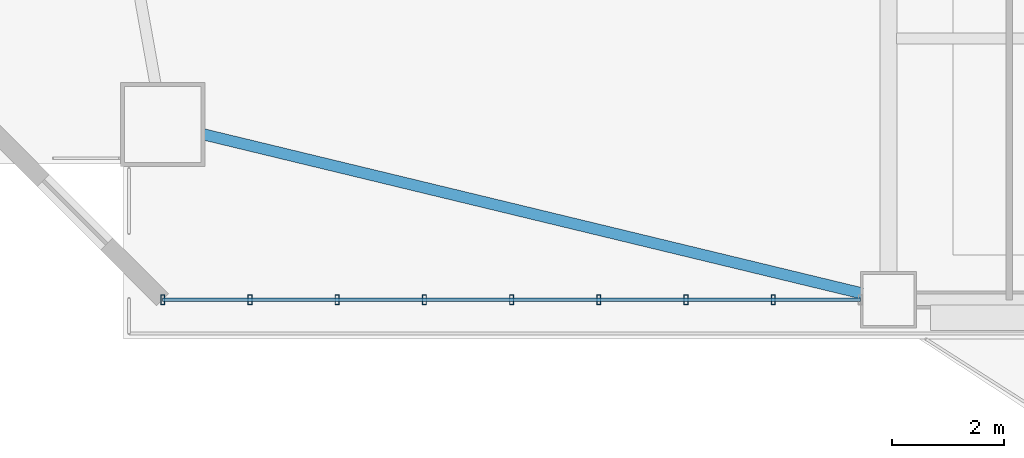
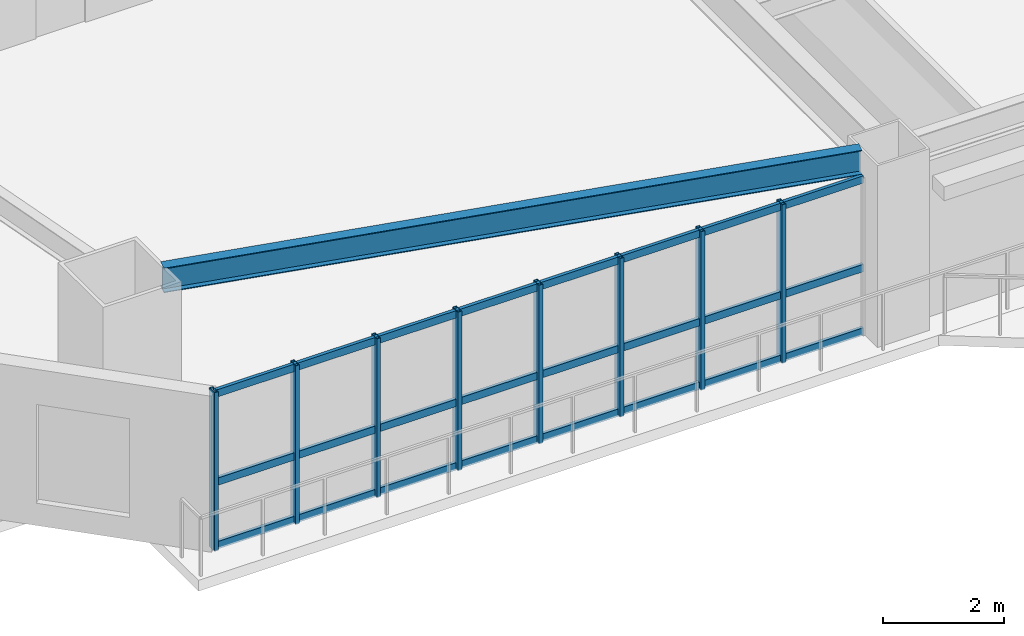
# One storey, part 2 of 18: 11 members, 1 beam, 1 element without a shape of its own.
"""IFC4 building model written with IfcOpenShell, lengths in metres."""

from ifc_helpers import new_model, si_unit, direction, frame, origin, origin_2d, place, context, subcontext, project, spatial, hollow_rectangle, i_section, extrude, source, transform, mapped, material, layer, layer_set, material_profile, profile_set, type_object, element, aggregate, save


model = new_model("IFC4")

# Units and contexts
model_context = context("Model", 3, precision=1e-05, world=origin(), true_north=direction((0.0, 1.0)))
body_context = subcontext(model_context, "Body", "Model", "MODEL_VIEW")
ifc_project = project(units=[si_unit("LENGTHUNIT", "METRE"), si_unit("AREAUNIT", "SQUARE_METRE"), si_unit("VOLUMEUNIT", "CUBIC_METRE"), si_unit("PLANEANGLEUNIT", "RADIAN"), si_unit("MASSUNIT", "GRAM", prefix="KILO")], contexts=[model_context])

# Site, building, storey
site_placement = place(None, origin())
site = spatial("IfcSite", under=ifc_project, at=site_placement, CompositionType="ELEMENT")
building_placement = place(site_placement, origin())
building = spatial("IfcBuilding", under=site, at=building_placement, Name="Giltprow Tower", CompositionType="ELEMENT")
storey_placement = place(building_placement, frame((0.0, 0.0, 61.10009765625)))
storey = spatial("IfcBuildingStorey", under=building, at=storey_placement, Name="L15", CompositionType="ELEMENT", Elevation=61.10009765625)

# Beam
ifc_material_1 = material(Name="Structural steel Q355B", Category="steel")
ifc_material_profile_1 = material_profile(ifc_material_1, i_section(OverallWidth=0.199951171875, OverallDepth=0.5, WebThickness=0.010009765625, FlangeThickness=0.01611328125, at=origin_2d()), Name="HN 500x200x10x16")
ifc_profile_set_1 = profile_set([ifc_material_profile_1], Name="Structural steel Q355B")
beam_type = type_object("IfcBeamType", Name="BM-SPAN-HN500", PredefinedType="SPANDREL", material=ifc_profile_set_1)
shared_shape_1 = source(origin(), body_context, "Body", "SweptSolid", [
    extrude(i_section(OverallWidth=0.199951171875, OverallDepth=0.5, WebThickness=0.010009765625, FlangeThickness=0.01611328125, at=origin_2d()), origin(), (0.0, 0.0, 1.0), 12.0751953125),
])
beam_placement = place(storey_placement, frame((7.64111328125, 7.8310546875, 3.429931640625), z_axis=(0.972050077533, -0.234773607478, 0.0), x_axis=(0.234773607478, 0.972050077533, 0.0)))
element("IfcBeam", 1, at=beam_placement, inside=storey, type_object=beam_type, Name="L15 Perimeter Spandrel Beam MC_SW-S1", PredefinedType="SPANDREL", context=body_context, shape_type="MappedRepresentation", body=[
    mapped(shared_shape_1, transform((0.0, 0.0, 0.0), x_axis=(1.0, 0.0, 0.0), y_axis=(0.0, 1.0, 0.0), z_axis=(0.0, 0.0, 1.0), scale=1.0)),
])

# Curtain wall, members
ifc_material_2 = material(Name="Anodized bronze", Category="metal")
ifc_layer = layer(ifc_material_2, 0.179931640625, Name="Anodized bronze")
ifc_layer_set = layer_set([ifc_layer], Name="Anodized bronze")
curtain_wall_type = type_object("IfcCurtainWallType", Name="CW-OFF-RECESSED", PredefinedType="NOTDEFINED", material=ifc_layer_set)
curtain_wall_placement = place(storey_placement, origin())
curtain_wall = element("IfcCurtainWall", 2, at=curtain_wall_placement, inside=storey, type_object=curtain_wall_type, Name="L15 South Recessed Curtain Wall 1", PredefinedType="NOTDEFINED")
ifc_material_profile_2 = material_profile(ifc_material_2, hollow_rectangle(XDim=0.074951171875, YDim=0.179931640625, WallThickness=0.008056640625, at=origin_2d()), Name="RHS 180x75x8")
ifc_profile_set_2 = profile_set([ifc_material_profile_2], Name="Anodized bronze")
member_type_1 = type_object("IfcMemberType", Name="CW-MULLION-180x75", PredefinedType="MULLION", material=ifc_profile_set_2)
shared_shape_2 = source(origin(), body_context, "Body", "SweptSolid", [
    extrude(hollow_rectangle(XDim=0.074951171875, YDim=0.179931640625, WallThickness=0.008056640625, at=origin_2d()), origin(), (0.0, 0.0, 1.0), 3.21484375),
])
member_1_placement = place(storey_placement, frame((6.927001953125, 4.882080078125, -0.02001953125), z_axis=(0.0, 0.0, 1.0), x_axis=(1.0, 0.0, 0.0)))
member_1 = element("IfcMember", 3, at=member_1_placement, type_object=member_type_1, Name="L15 South Recessed Curtain Wall 1 Mullion 1", PredefinedType="MULLION", context=body_context, shape_type="MappedRepresentation", body=[
    mapped(shared_shape_2, transform((0.0, 0.0, 0.0), x_axis=(1.0, 0.0, 0.0), y_axis=(0.0, 1.0, 0.0), z_axis=(0.0, 0.0, 1.0), scale=1.0)),
])
member_2_placement = place(storey_placement, frame((8.47998046875, 4.882080078125, -0.02001953125), z_axis=(0.0, 0.0, 1.0), x_axis=(1.0, 0.0, 0.0)))
member_2 = element("IfcMember", 4, at=member_2_placement, type_object=member_type_1, Name="L15 South Recessed Curtain Wall 1 Mullion 2", PredefinedType="MULLION", context=body_context, shape_type="MappedRepresentation", body=[
    mapped(shared_shape_2, transform((0.0, 0.0, 0.0), x_axis=(1.0, 0.0, 0.0), y_axis=(0.0, 1.0, 0.0), z_axis=(0.0, 0.0, 1.0), scale=1.0)),
])
member_3_placement = place(storey_placement, frame((10.032958984375, 4.882080078125, -0.02001953125), z_axis=(0.0, 0.0, 1.0), x_axis=(1.0, 0.0, 0.0)))
member_3 = element("IfcMember", 5, at=member_3_placement, type_object=member_type_1, Name="L15 South Recessed Curtain Wall 1 Mullion 3", PredefinedType="MULLION", context=body_context, shape_type="MappedRepresentation", body=[
    mapped(shared_shape_2, transform((0.0, 0.0, 0.0), x_axis=(1.0, 0.0, 0.0), y_axis=(0.0, 1.0, 0.0), z_axis=(0.0, 0.0, 1.0), scale=1.0)),
])
member_4_placement = place(storey_placement, frame((11.5859375, 4.882080078125, -0.02001953125), z_axis=(0.0, 0.0, 1.0), x_axis=(1.0, 0.0, 0.0)))
member_4 = element("IfcMember", 6, at=member_4_placement, type_object=member_type_1, Name="L15 South Recessed Curtain Wall 1 Mullion 4", PredefinedType="MULLION", context=body_context, shape_type="MappedRepresentation", body=[
    mapped(shared_shape_2, transform((0.0, 0.0, 0.0), x_axis=(1.0, 0.0, 0.0), y_axis=(0.0, 1.0, 0.0), z_axis=(0.0, 0.0, 1.0), scale=1.0)),
])
member_5_placement = place(storey_placement, frame((13.138916015625, 4.882080078125, -0.02001953125), z_axis=(0.0, 0.0, 1.0), x_axis=(1.0, 0.0, 0.0)))
member_5 = element("IfcMember", 7, at=member_5_placement, type_object=member_type_1, Name="L15 South Recessed Curtain Wall 1 Mullion 5", PredefinedType="MULLION", context=body_context, shape_type="MappedRepresentation", body=[
    mapped(shared_shape_2, transform((0.0, 0.0, 0.0), x_axis=(1.0, 0.0, 0.0), y_axis=(0.0, 1.0, 0.0), z_axis=(0.0, 0.0, 1.0), scale=1.0)),
])
member_6_placement = place(storey_placement, frame((14.69091796875, 4.882080078125, -0.02001953125), z_axis=(0.0, 0.0, 1.0), x_axis=(1.0, 0.0, 0.0)))
member_6 = element("IfcMember", 8, at=member_6_placement, type_object=member_type_1, Name="L15 South Recessed Curtain Wall 1 Mullion 6", PredefinedType="MULLION", context=body_context, shape_type="MappedRepresentation", body=[
    mapped(shared_shape_2, transform((0.0, 0.0, 0.0), x_axis=(1.0, 0.0, 0.0), y_axis=(0.0, 1.0, 0.0), z_axis=(0.0, 0.0, 1.0), scale=1.0)),
])
member_7_placement = place(storey_placement, frame((16.243896484375, 4.882080078125, -0.02001953125), z_axis=(0.0, 0.0, 1.0), x_axis=(1.0, 0.0, 0.0)))
member_7 = element("IfcMember", 9, at=member_7_placement, type_object=member_type_1, Name="L15 South Recessed Curtain Wall 1 Mullion 7", PredefinedType="MULLION", context=body_context, shape_type="MappedRepresentation", body=[
    mapped(shared_shape_2, transform((0.0, 0.0, 0.0), x_axis=(1.0, 0.0, 0.0), y_axis=(0.0, 1.0, 0.0), z_axis=(0.0, 0.0, 1.0), scale=1.0)),
])
member_8_placement = place(storey_placement, frame((17.797119140625, 4.882080078125, -0.02001953125), z_axis=(0.0, 0.0, 1.0), x_axis=(1.0, 0.0, 0.0)))
member_8 = element("IfcMember", 10, at=member_8_placement, type_object=member_type_1, Name="L15 South Recessed Curtain Wall 1 Mullion 8", PredefinedType="MULLION", context=body_context, shape_type="MappedRepresentation", body=[
    mapped(shared_shape_2, transform((0.0, 0.0, 0.0), x_axis=(1.0, 0.0, 0.0), y_axis=(0.0, 1.0, 0.0), z_axis=(0.0, 0.0, 1.0), scale=1.0)),
])
ifc_material_profile_3 = material_profile(ifc_material_2, hollow_rectangle(XDim=0.06494140625, YDim=0.14990234375, WallThickness=0.006103515625, at=origin_2d()), Name="RHS 150x65x6")
ifc_profile_set_3 = profile_set([ifc_material_profile_3], Name="Anodized bronze")
member_type_2 = type_object("IfcMemberType", Name="CW-TRANSOM-150x65", PredefinedType="USERDEFINED", material=ifc_profile_set_3)
shared_shape_3 = source(origin(), body_context, "Body", "SweptSolid", [
    extrude(hollow_rectangle(XDim=0.06494140625, YDim=0.14990234375, WallThickness=0.006103515625, at=origin_2d()), origin(), (0.0, 0.0, 1.0), 12.423095703125),
])
member_9_placement = place(storey_placement, frame((6.927001953125, 4.882080078125, 0.039794921875), z_axis=(1.0, 0.0, 0.0), x_axis=(0.0, 1.0, 0.0)))
member_9 = element("IfcMember", 11, at=member_9_placement, type_object=member_type_2, Name="L15 South Recessed Curtain Wall 1 Transom 1", ObjectType="TRANSOM", PredefinedType="USERDEFINED", context=body_context, shape_type="MappedRepresentation", body=[
    mapped(shared_shape_3, transform((0.0, 0.0, 0.0), x_axis=(1.0, 0.0, 0.0), y_axis=(0.0, 1.0, 0.0), z_axis=(0.0, 0.0, 1.0), scale=1.0)),
])
member_10_placement = place(storey_placement, frame((6.927001953125, 4.882080078125, 1.326904296875), z_axis=(1.0, 0.0, 0.0), x_axis=(0.0, 1.0, 0.0)))
member_10 = element("IfcMember", 12, at=member_10_placement, type_object=member_type_2, Name="L15 South Recessed Curtain Wall 1 Transom 2", ObjectType="TRANSOM", PredefinedType="USERDEFINED", context=body_context, shape_type="MappedRepresentation", body=[
    mapped(shared_shape_3, transform((0.0, 0.0, 0.0), x_axis=(1.0, 0.0, 0.0), y_axis=(0.0, 1.0, 0.0), z_axis=(0.0, 0.0, 1.0), scale=1.0)),
])
member_11_placement = place(storey_placement, frame((6.927001953125, 4.882080078125, 3.119873046875), z_axis=(1.0, 0.0, 0.0), x_axis=(0.0, 1.0, 0.0)))
member_11 = element("IfcMember", 13, at=member_11_placement, type_object=member_type_2, Name="L15 South Recessed Curtain Wall 1 Transom 3", ObjectType="TRANSOM", PredefinedType="USERDEFINED", context=body_context, shape_type="MappedRepresentation", body=[
    mapped(shared_shape_3, transform((0.0, 0.0, 0.0), x_axis=(1.0, 0.0, 0.0), y_axis=(0.0, 1.0, 0.0), z_axis=(0.0, 0.0, 1.0), scale=1.0)),
])
aggregate(curtain_wall, [member_1, member_2, member_3, member_4, member_5, member_6, member_7, member_8, member_9, member_10, member_11])

save(model, "model.ifc")
